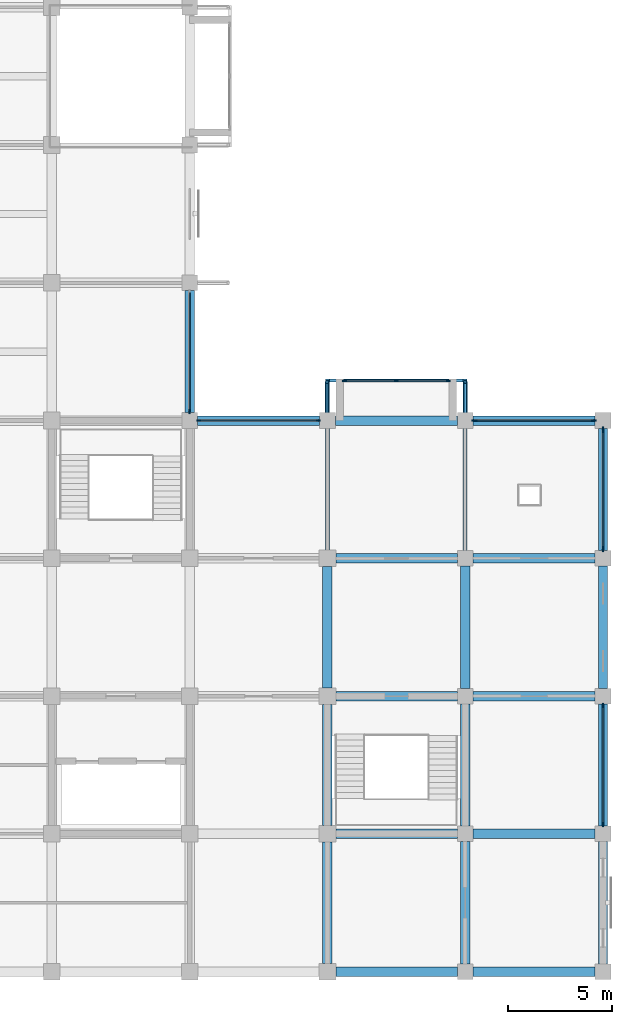
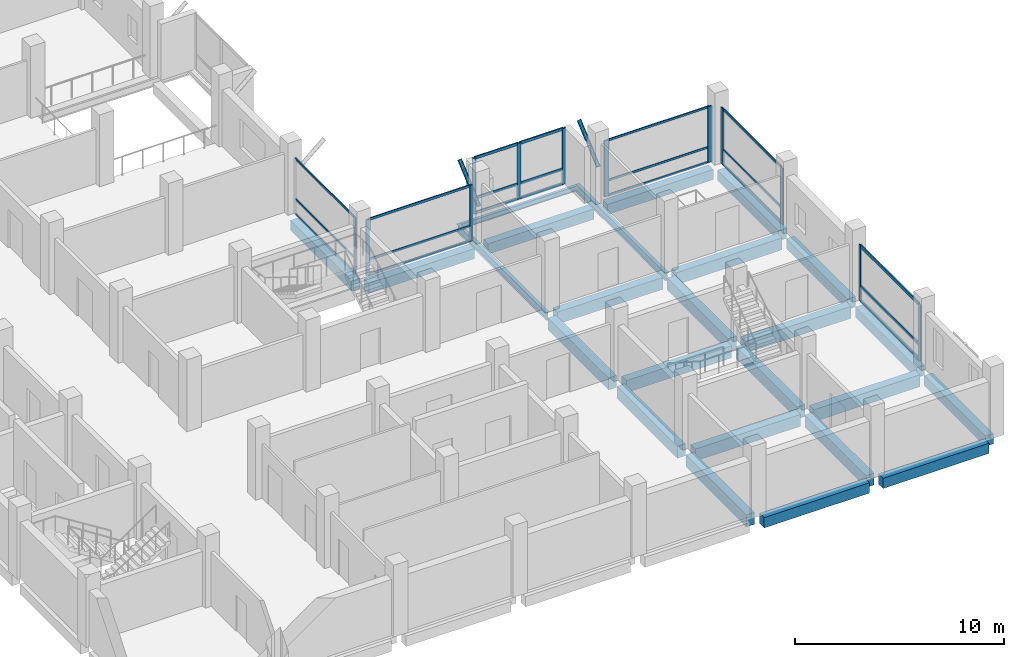
# One storey, part 2 of 14: 35 members, 25 beams, 6 elements without a shape of their own.
"""IFC4 building model written with IfcOpenShell, lengths in metres."""

from ifc_helpers import new_model, si_unit, direction, frame, origin, origin_2d, place, context, subcontext, project, spatial, rectangle, hollow_circle, i_section, extrude, material, material_profile, profile_set, type_object, element, aggregate, save


model = new_model("IFC4")

# Units and contexts
model_context = context("Model", 3, precision=1e-05, world=origin(), true_north=direction((0.0, 1.0)))
body_context = subcontext(model_context, "Body", "Model", "MODEL_VIEW")
ifc_project = project(units=[si_unit("LENGTHUNIT", "METRE"), si_unit("AREAUNIT", "SQUARE_METRE"), si_unit("VOLUMEUNIT", "CUBIC_METRE"), si_unit("PLANEANGLEUNIT", "RADIAN"), si_unit("MASSUNIT", "GRAM", prefix="KILO")], contexts=[model_context])

# Site, building, storey
site_placement = place(None, origin())
site = spatial("IfcSite", under=ifc_project, at=site_placement, CompositionType="ELEMENT")
building_placement = place(site_placement, origin())
building = spatial("IfcBuilding", under=site, at=building_placement, Name="Rusizi Kubbe Research Institute", CompositionType="ELEMENT")
storey_placement = place(building_placement, frame((0.0, 0.0, 31.199951171875)))
storey = spatial("IfcBuildingStorey", under=building, at=storey_placement, Name="L07", CompositionType="ELEMENT", Elevation=31.199951171875)

# Beams
ifc_material_1 = material(Name="Steel S355", Category="steel")
ifc_material_profile_1 = material_profile(ifc_material_1, i_section(OverallWidth=0.14990234375, OverallDepth=0.300048828125, WebThickness=0.007080078125, FlangeThickness=0.0107421875, at=origin_2d()), Name="IPE 300")
ifc_profile_set_1 = profile_set([ifc_material_profile_1], Name="Steel S355")
beam_type_1 = type_object("IfcBeamType", Name="BM-IPE300", PredefinedType="BEAM", material=ifc_profile_set_1)
beam_1_placement = place(storey_placement, frame((33.094970703125, 28.324951171875, -0.47998046875), z_axis=(1.0, 0.0, 0.0), x_axis=(0.0, 1.0, 0.0)))
element("IfcBeam", 1, at=beam_1_placement, inside=storey, type_object=beam_type_1, Name="Cumba Edge Tie Beam L07-3", PredefinedType="BEAM", context=body_context, shape_type="SweptSolid", body=[
    extrude(i_section(OverallWidth=0.14990234375, OverallDepth=0.300048828125, WebThickness=0.007080078125, FlangeThickness=0.0107421875, at=origin_2d()), origin(), (0.0, 0.0, 1.0), 6.409912109375),
])
ifc_material_2 = material(Name="Steel S355", Category="steel")
ifc_material_profile_2 = material_profile(ifc_material_2, i_section(OverallWidth=0.18994140625, OverallDepth=0.449951171875, WebThickness=0.009521484375, FlangeThickness=0.0146484375, at=origin_2d()), Name="IPE 450")
ifc_profile_set_2 = profile_set([ifc_material_profile_2], Name="Steel S355")
beam_type_2 = type_object("IfcBeamType", Name="BM-IPE450", PredefinedType="BEAM", material=ifc_profile_set_2)
for number, where, z_axis, x_axis, name in (
    (2, (33.0, 19.800048828125, -0.554931640625), (0.0, 1.0, 0.0), (-1.0, 0.0, 0.0), "Cumba Back-Spanned Cantilever Beam L07-3W"),
    (3, (39.60009765625, 19.800048828125, -0.554931640625), (0.0, 1.0, 0.0), (-1.0, 0.0, 0.0), "Cumba Back-Spanned Cantilever Beam L07-3E"),
):
    element("IfcBeam", number, at=place(storey_placement, frame(where, z_axis=z_axis, x_axis=x_axis)), inside=storey, type_object=beam_type_2, Name=name, PredefinedType="BEAM", context=body_context, shape_type="SweptSolid", body=[
        extrude(i_section(OverallWidth=0.18994140625, OverallDepth=0.449951171875, WebThickness=0.009521484375, FlangeThickness=0.0146484375, at=origin_2d()), origin(), (0.0, 0.0, 1.0), 8.599853515625),
    ])
ifc_material_3 = material(Name="Concrete C40/50", Category="concrete")
ifc_material_profile_3 = material_profile(ifc_material_3, rectangle(XDim=0.449951171875, YDim=0.60009765625, at=origin_2d()), Name="RC450x600")
ifc_profile_set_3 = profile_set([ifc_material_profile_3], Name="Concrete C40/50")
beam_type_3 = type_object("IfcBeamType", Name="BM-RC450x600", PredefinedType="SPANDREL", material=ifc_profile_set_3)
beam_2_placement = place(storey_placement, frame((26.77490234375, 26.39990234375, -0.6298828125), z_axis=(1.0, 0.0, 0.0), x_axis=(0.0, 1.0, 0.0)))
element("IfcBeam", 4, at=beam_2_placement, inside=storey, type_object=beam_type_3, Name="Grid Beam H L07 (4,4)", PredefinedType="SPANDREL", context=body_context, shape_type="SweptSolid", body=[
    extrude(rectangle(XDim=0.449951171875, YDim=0.60009765625, at=origin_2d()), origin(), (0.0, 0.0, 1.0), 5.85009765625),
])
beam_3_placement = place(storey_placement, frame((33.39990234375, 0.0, -0.6298828125), z_axis=(1.0, 0.0, 0.0), x_axis=(0.0, 1.0, 0.0)))
element("IfcBeam", 5, at=beam_3_placement, inside=storey, type_object=beam_type_3, Name="Grid Beam H L07 (5,0)", PredefinedType="SPANDREL", context=body_context, shape_type="SweptSolid", body=[
    extrude(rectangle(XDim=0.449951171875, YDim=0.60009765625, at=origin_2d()), origin(), (0.0, 0.0, 1.0), 5.8251953125),
])
beam_4_placement = place(storey_placement, frame((33.375, 26.39990234375, -0.6298828125), z_axis=(1.0, 0.0, 0.0), x_axis=(0.0, 1.0, 0.0)))
element("IfcBeam", 6, at=beam_4_placement, inside=storey, type_object=beam_type_3, Name="Grid Beam H L07 (5,4)", PredefinedType="SPANDREL", context=body_context, shape_type="SweptSolid", body=[
    extrude(rectangle(XDim=0.449951171875, YDim=0.60009765625, at=origin_2d()), origin(), (0.0, 0.0, 1.0), 5.85009765625),
])
for number, where, z_axis, x_axis, name in (
    (7, (39.97509765625, 0.0, -0.6298828125), (1.0, 0.0, 0.0), (0.0, 1.0, 0.0), "Grid Beam H L07 (6,0)"),
    (8, (39.97509765625, 26.39990234375, -0.6298828125), (1.0, 0.0, 0.0), (0.0, 1.0, 0.0), "Grid Beam H L07 (6,4)"),
):
    element("IfcBeam", number, at=place(storey_placement, frame(where, z_axis=z_axis, x_axis=x_axis)), inside=storey, type_object=beam_type_3, Name=name, PredefinedType="SPANDREL", context=body_context, shape_type="SweptSolid", body=[
        extrude(rectangle(XDim=0.449951171875, YDim=0.60009765625, at=origin_2d()), origin(), (0.0, 0.0, 1.0), 5.849853515625),
    ])
for number, where, z_axis, x_axis, name in (
    (9, (26.39990234375, 26.77490234375, -0.6298828125), (0.0, 1.0, 0.0), (-1.0, 0.0, 0.0), "Grid Beam V L07 (4,4)"),
    (10, (46.199951171875, 0.375, -0.6298828125), (0.0, 1.0, 0.0), (-1.0, 0.0, 0.0), "Grid Beam V L07 (7,0)"),
):
    element("IfcBeam", number, at=place(storey_placement, frame(where, z_axis=z_axis, x_axis=x_axis)), inside=storey, type_object=beam_type_3, Name=name, PredefinedType="SPANDREL", context=body_context, shape_type="SweptSolid", body=[
        extrude(rectangle(XDim=0.449951171875, YDim=0.60009765625, at=origin_2d()), origin(), (0.0, 0.0, 1.0), 5.85009765625),
    ])
beam_5_placement = place(storey_placement, frame((46.199951171875, 6.97509765625, -0.6298828125), z_axis=(0.0, 1.0, 0.0), x_axis=(-1.0, 0.0, 0.0)))
element("IfcBeam", 11, at=beam_5_placement, inside=storey, type_object=beam_type_3, Name="Grid Beam V L07 (7,1)", PredefinedType="SPANDREL", context=body_context, shape_type="SweptSolid", body=[
    extrude(rectangle(XDim=0.449951171875, YDim=0.60009765625, at=origin_2d()), origin(), (0.0, 0.0, 1.0), 5.849853515625),
])
beam_6_placement = place(storey_placement, frame((46.199951171875, 13.574951171875, -0.6298828125), z_axis=(0.0, 1.0, 0.0), x_axis=(-1.0, 0.0, 0.0)))
element("IfcBeam", 12, at=beam_6_placement, inside=storey, type_object=beam_type_3, Name="Grid Beam V L07 (7,2)", PredefinedType="SPANDREL", context=body_context, shape_type="SweptSolid", body=[
    extrude(rectangle(XDim=0.449951171875, YDim=0.60009765625, at=origin_2d()), origin(), (0.0, 0.0, 1.0), 5.85009765625),
])
beam_7_placement = place(storey_placement, frame((46.199951171875, 20.175048828125, -0.6298828125), z_axis=(0.0, 1.0, 0.0), x_axis=(-1.0, 0.0, 0.0)))
element("IfcBeam", 13, at=beam_7_placement, inside=storey, type_object=beam_type_3, Name="Grid Beam V L07 (7,3)", PredefinedType="SPANDREL", context=body_context, shape_type="SweptSolid", body=[
    extrude(rectangle(XDim=0.449951171875, YDim=0.60009765625, at=origin_2d()), origin(), (0.0, 0.0, 1.0), 5.849853515625),
])
ifc_material_4 = material(Name="Concrete C40/50", Category="concrete")
ifc_material_profile_4 = material_profile(ifc_material_4, rectangle(XDim=0.449951171875, YDim=0.699951171875, at=origin_2d()), Name="RC450x700B")
ifc_profile_set_4 = profile_set([ifc_material_profile_4], Name="Concrete C40/50")
beam_type_4 = type_object("IfcBeamType", Name="BM-RC450x700", PredefinedType="BEAM", material=ifc_profile_set_4)
for number, where, z_axis, x_axis, name in (
    (14, (33.39990234375, 6.60009765625, -0.679931640625), (1.0, 0.0, 0.0), (0.0, 1.0, 0.0), "Grid Beam H L07 (5,1)"),
    (15, (33.39990234375, 13.199951171875, -0.679931640625), (1.0, 0.0, 0.0), (0.0, 1.0, 0.0), "Grid Beam H L07 (5,2)"),
    (16, (33.39990234375, 19.800048828125, -0.679931640625), (1.0, 0.0, 0.0), (0.0, 1.0, 0.0), "Grid Beam H L07 (5,3)"),
):
    element("IfcBeam", number, at=place(storey_placement, frame(where, z_axis=z_axis, x_axis=x_axis)), inside=storey, type_object=beam_type_4, Name=name, PredefinedType="BEAM", context=body_context, shape_type="SweptSolid", body=[
        extrude(rectangle(XDim=0.449951171875, YDim=0.699951171875, at=origin_2d()), origin(), (0.0, 0.0, 1.0), 5.8251953125),
    ])
for number, where, z_axis, x_axis, name in (
    (17, (39.97509765625, 6.60009765625, -0.679931640625), (1.0, 0.0, 0.0), (0.0, 1.0, 0.0), "Grid Beam H L07 (6,1)"),
    (18, (39.97509765625, 13.199951171875, -0.679931640625), (1.0, 0.0, 0.0), (0.0, 1.0, 0.0), "Grid Beam H L07 (6,2)"),
    (19, (39.97509765625, 19.800048828125, -0.679931640625), (1.0, 0.0, 0.0), (0.0, 1.0, 0.0), "Grid Beam H L07 (6,3)"),
):
    element("IfcBeam", number, at=place(storey_placement, frame(where, z_axis=z_axis, x_axis=x_axis)), inside=storey, type_object=beam_type_4, Name=name, PredefinedType="BEAM", context=body_context, shape_type="SweptSolid", body=[
        extrude(rectangle(XDim=0.449951171875, YDim=0.699951171875, at=origin_2d()), origin(), (0.0, 0.0, 1.0), 5.849853515625),
    ])
for number, where, z_axis, x_axis, name in (
    (20, (33.0, 0.39990234375, -0.679931640625), (0.0, 1.0, 0.0), (-1.0, 0.0, 0.0), "Grid Beam V L07 (5,0)"),
    (21, (33.0, 7.0, -0.679931640625), (0.0, 1.0, 0.0), (-1.0, 0.0, 0.0), "Grid Beam V L07 (5,1)"),
):
    element("IfcBeam", number, at=place(storey_placement, frame(where, z_axis=z_axis, x_axis=x_axis)), inside=storey, type_object=beam_type_4, Name=name, PredefinedType="BEAM", context=body_context, shape_type="SweptSolid", body=[
        extrude(rectangle(XDim=0.449951171875, YDim=0.699951171875, at=origin_2d()), origin(), (0.0, 0.0, 1.0), 5.800048828125),
    ])
beam_8_placement = place(storey_placement, frame((33.0, 13.60009765625, -0.679931640625), z_axis=(0.0, 1.0, 0.0), x_axis=(-1.0, 0.0, 0.0)))
element("IfcBeam", 22, at=beam_8_placement, inside=storey, type_object=beam_type_4, Name="Grid Beam V L07 (5,2)", PredefinedType="BEAM", context=body_context, shape_type="SweptSolid", body=[
    extrude(rectangle(XDim=0.449951171875, YDim=0.699951171875, at=origin_2d()), origin(), (0.0, 0.0, 1.0), 5.7998046875),
])
beam_9_placement = place(storey_placement, frame((39.60009765625, 0.375, -0.679931640625), z_axis=(0.0, 1.0, 0.0), x_axis=(-1.0, 0.0, 0.0)))
element("IfcBeam", 23, at=beam_9_placement, inside=storey, type_object=beam_type_4, Name="Grid Beam V L07 (6,0)", PredefinedType="BEAM", context=body_context, shape_type="SweptSolid", body=[
    extrude(rectangle(XDim=0.449951171875, YDim=0.699951171875, at=origin_2d()), origin(), (0.0, 0.0, 1.0), 5.85009765625),
])
beam_10_placement = place(storey_placement, frame((39.60009765625, 6.97509765625, -0.679931640625), z_axis=(0.0, 1.0, 0.0), x_axis=(-1.0, 0.0, 0.0)))
element("IfcBeam", 24, at=beam_10_placement, inside=storey, type_object=beam_type_4, Name="Grid Beam V L07 (6,1)", PredefinedType="BEAM", context=body_context, shape_type="SweptSolid", body=[
    extrude(rectangle(XDim=0.449951171875, YDim=0.699951171875, at=origin_2d()), origin(), (0.0, 0.0, 1.0), 5.849853515625),
])
beam_11_placement = place(storey_placement, frame((39.60009765625, 13.574951171875, -0.679931640625), z_axis=(0.0, 1.0, 0.0), x_axis=(-1.0, 0.0, 0.0)))
element("IfcBeam", 25, at=beam_11_placement, inside=storey, type_object=beam_type_4, Name="Grid Beam V L07 (6,2)", PredefinedType="BEAM", context=body_context, shape_type="SweptSolid", body=[
    extrude(rectangle(XDim=0.449951171875, YDim=0.699951171875, at=origin_2d()), origin(), (0.0, 0.0, 1.0), 5.85009765625),
])

# Members
ifc_material_5 = material(Name="Steel S355", Category="steel")
ifc_material_profile_5 = material_profile(ifc_material_5, hollow_circle(Radius=0.109619140625, WallThickness=0.008056640625, at=origin_2d()), Name="CHS 219.1x8.0")
ifc_profile_set_5 = profile_set([ifc_material_profile_5], Name="Steel S355")
member_type_1 = type_object("IfcMemberType", Name="MB-CHS219", PredefinedType="BRACE", material=ifc_profile_set_5)
for number, where, z_axis, x_axis, name in (
    (26, (33.0, 26.39990234375, 1.880126953125), (0.0, 0.756409887843, 0.654097914362), (-1.0, 0.0, 0.0), "Cumba Diagonal Corbel Brace L08-3W"),
    (27, (39.60009765625, 26.39990234375, 1.880126953125), (0.0, 0.756409887843, 0.654097914362), (-1.0, 0.0, 0.0), "Cumba Diagonal Corbel Brace L08-3E"),
):
    element("IfcMember", number, at=place(storey_placement, frame(where, z_axis=z_axis, x_axis=x_axis)), inside=storey, type_object=member_type_1, Name=name, PredefinedType="BRACE", context=body_context, shape_type="SweptSolid", body=[
        extrude(hollow_circle(Radius=0.109619140625, WallThickness=0.008056640625, at=origin_2d()), origin(), (0.0, 0.0, 1.0), 2.44580078125),
    ])

# Curtain wall, members
ifc_material_6 = material(Name="Thermally Broken Aluminium and Low-E Glazing", Category="aluminium")
curtain_wall_type_1 = type_object("IfcCurtainWallType", Name="CW-10", PredefinedType="NOTDEFINED", material=ifc_material_6)
curtain_wall_1_placement = place(storey_placement, origin())
curtain_wall_1 = element("IfcCurtainWall", 28, at=curtain_wall_1_placement, inside=storey, type_object=curtain_wall_type_1, Name="Unitised Facade Curtain Wall CW-L07-H-04-04", PredefinedType="NOTDEFINED")
ifc_material_7 = material(Name="Aluminium Alloy 6063-T6", Category="aluminium")
ifc_material_profile_6 = material_profile(ifc_material_7, rectangle(XDim=0.06005859375, YDim=0.179931640625, at=origin_2d()), Name="ALU-M 60x180")
ifc_profile_set_6 = profile_set([ifc_material_profile_6], Name="Aluminium Alloy 6063-T6")
member_type_2 = type_object("IfcMemberType", Name="ML-02", PredefinedType="MULLION", material=ifc_profile_set_6)
member_1_placement = place(storey_placement, frame((26.8349609375, 26.39990234375, 0.0), z_axis=(0.0, 0.0, 1.0), x_axis=(0.0, 1.0, 0.0)))
member_1 = element("IfcMember", 29, at=member_1_placement, type_object=member_type_2, Name="CW-10 mullion 1", PredefinedType="MULLION", context=body_context, shape_type="SweptSolid", body=[
    extrude(rectangle(XDim=0.06005859375, YDim=0.179931640625, at=origin_2d()), origin(), (0.0, 0.0, 1.0), 3.280029296875),
])
member_2_placement = place(storey_placement, frame((32.56494140625, 26.39990234375, 0.0), z_axis=(0.0, 0.0, 1.0), x_axis=(0.0, 1.0, 0.0)))
member_2 = element("IfcMember", 30, at=member_2_placement, type_object=member_type_2, Name="CW-10 mullion 2", PredefinedType="MULLION", context=body_context, shape_type="SweptSolid", body=[
    extrude(rectangle(XDim=0.06005859375, YDim=0.179931640625, at=origin_2d()), origin(), (0.0, 0.0, 1.0), 3.280029296875),
])

# Curtain wall, member
curtain_wall_2_placement = place(storey_placement, origin())
curtain_wall_2 = element("IfcCurtainWall", 31, at=curtain_wall_2_placement, inside=storey, type_object=curtain_wall_type_1, Name="Unitised Facade Curtain Wall CW-L07-V-04-04", PredefinedType="NOTDEFINED")
ifc_material_8 = material(Name="Aluminium Alloy 6063-T6", Category="aluminium")
ifc_material_profile_7 = material_profile(ifc_material_8, rectangle(XDim=0.06494140625, YDim=0.199951171875, at=origin_2d()), Name="ALU-M 65x200")
ifc_profile_set_7 = profile_set([ifc_material_profile_7], Name="Aluminium Alloy 6063-T6")
member_type_3 = type_object("IfcMemberType", Name="ML-03", PredefinedType="MULLION", material=ifc_profile_set_7)
member_3_placement = place(storey_placement, frame((26.39990234375, 26.83740234375, 0.0), z_axis=(0.0, 0.0, 1.0), x_axis=(-1.0, 0.0, 0.0)))
member_3 = element("IfcMember", 32, at=member_3_placement, type_object=member_type_3, Name="CW-10 mullion 1", PredefinedType="MULLION", context=body_context, shape_type="SweptSolid", body=[
    extrude(rectangle(XDim=0.06494140625, YDim=0.199951171875, at=origin_2d()), origin(), (0.0, 0.0, 1.0), 3.280029296875),
])

# Curtain wall, members
ifc_material_9 = material(Name="Thermally Broken Aluminium and Low-E Glazing", Category="aluminium")
curtain_wall_type_2 = type_object("IfcCurtainWallType", Name="CW-03", PredefinedType="NOTDEFINED", material=ifc_material_9)
curtain_wall_3_placement = place(storey_placement, origin())
curtain_wall_3 = element("IfcCurtainWall", 33, at=curtain_wall_3_placement, inside=storey, type_object=curtain_wall_type_2, Name="Cumba Glazed Curtain Wall CW-CUMBA-L07-086", PredefinedType="NOTDEFINED")
member_4_placement = place(storey_placement, frame((33.81494140625, 28.300048828125, 0.0), z_axis=(0.0, 0.0, 1.0), x_axis=(0.0, 1.0, 0.0)))
member_4 = element("IfcMember", 34, at=member_4_placement, type_object=member_type_3, Name="CW-03 mullion 1", PredefinedType="MULLION", context=body_context, shape_type="SweptSolid", body=[
    extrude(rectangle(XDim=0.06494140625, YDim=0.199951171875, at=origin_2d()), origin(), (0.0, 0.0, 1.0), 3.280029296875),
])
member_5_placement = place(storey_placement, frame((36.300048828125, 28.300048828125, 0.0), z_axis=(0.0, 0.0, 1.0), x_axis=(0.0, 1.0, 0.0)))
member_5 = element("IfcMember", 35, at=member_5_placement, type_object=member_type_3, Name="CW-03 mullion 2", PredefinedType="MULLION", context=body_context, shape_type="SweptSolid", body=[
    extrude(rectangle(XDim=0.06494140625, YDim=0.199951171875, at=origin_2d()), origin(), (0.0, 0.0, 1.0), 3.280029296875),
])
member_6_placement = place(storey_placement, frame((38.784912109375, 28.300048828125, 0.0), z_axis=(0.0, 0.0, 1.0), x_axis=(0.0, 1.0, 0.0)))
member_6 = element("IfcMember", 36, at=member_6_placement, type_object=member_type_3, Name="CW-03 mullion 3", PredefinedType="MULLION", context=body_context, shape_type="SweptSolid", body=[
    extrude(rectangle(XDim=0.06494140625, YDim=0.199951171875, at=origin_2d()), origin(), (0.0, 0.0, 1.0), 3.280029296875),
])

curtain_wall_4_placement = place(storey_placement, origin())
curtain_wall_4 = element("IfcCurtainWall", 37, at=curtain_wall_4_placement, inside=storey, type_object=curtain_wall_type_1, Name="Unitised Facade Curtain Wall CW-L07-V-07-01", PredefinedType="NOTDEFINED")
ifc_material_10 = material(Name="Aluminium Alloy 6063-T6", Category="aluminium")
ifc_material_profile_8 = material_profile(ifc_material_10, rectangle(XDim=0.070068359375, YDim=0.219970703125, at=origin_2d()), Name="ALU-M 70x220")
ifc_profile_set_8 = profile_set([ifc_material_profile_8], Name="Aluminium Alloy 6063-T6")
member_type_4 = type_object("IfcMemberType", Name="ML-04", PredefinedType="MULLION", material=ifc_profile_set_8)
member_7_placement = place(storey_placement, frame((46.199951171875, 7.0400390625, 0.0), z_axis=(0.0, 0.0, 1.0), x_axis=(-1.0, 0.0, 0.0)))
member_7 = element("IfcMember", 38, at=member_7_placement, type_object=member_type_4, Name="CW-10 mullion 1", PredefinedType="MULLION", context=body_context, shape_type="SweptSolid", body=[
    extrude(rectangle(XDim=0.070068359375, YDim=0.219970703125, at=origin_2d()), origin(), (0.0, 0.0, 1.0), 3.280029296875),
])
member_8_placement = place(storey_placement, frame((46.199951171875, 12.760009765625, 0.0), z_axis=(0.0, 0.0, 1.0), x_axis=(-1.0, 0.0, 0.0)))
member_8 = element("IfcMember", 39, at=member_8_placement, type_object=member_type_4, Name="CW-10 mullion 2", PredefinedType="MULLION", context=body_context, shape_type="SweptSolid", body=[
    extrude(rectangle(XDim=0.070068359375, YDim=0.219970703125, at=origin_2d()), origin(), (0.0, 0.0, 1.0), 3.280029296875),
])

curtain_wall_5_placement = place(storey_placement, origin())
curtain_wall_5 = element("IfcCurtainWall", 40, at=curtain_wall_5_placement, inside=storey, type_object=curtain_wall_type_1, Name="Unitised Facade Curtain Wall CW-L07-H-06-04", PredefinedType="NOTDEFINED")
ifc_material_11 = material(Name="Aluminium Alloy 6063-T6", Category="aluminium")
ifc_material_profile_9 = material_profile(ifc_material_11, rectangle(XDim=0.074951171875, YDim=0.25, at=origin_2d()), Name="ALU-M 75x250")
ifc_profile_set_9 = profile_set([ifc_material_profile_9], Name="Aluminium Alloy 6063-T6")
member_type_5 = type_object("IfcMemberType", Name="ML-05", PredefinedType="MULLION", material=ifc_profile_set_9)
member_9_placement = place(storey_placement, frame((40.04248046875, 26.39990234375, 0.0), z_axis=(0.0, 0.0, 1.0), x_axis=(0.0, 1.0, 0.0)))
member_9 = element("IfcMember", 41, at=member_9_placement, type_object=member_type_5, Name="CW-10 mullion 1", PredefinedType="MULLION", context=body_context, shape_type="SweptSolid", body=[
    extrude(rectangle(XDim=0.074951171875, YDim=0.25, at=origin_2d()), origin(), (0.0, 0.0, 1.0), 3.280029296875),
])
member_10_placement = place(storey_placement, frame((45.757568359375, 26.39990234375, 0.0), z_axis=(0.0, 0.0, 1.0), x_axis=(0.0, 1.0, 0.0)))
member_10 = element("IfcMember", 42, at=member_10_placement, type_object=member_type_5, Name="CW-10 mullion 2", PredefinedType="MULLION", context=body_context, shape_type="SweptSolid", body=[
    extrude(rectangle(XDim=0.074951171875, YDim=0.25, at=origin_2d()), origin(), (0.0, 0.0, 1.0), 3.280029296875),
])

curtain_wall_6_placement = place(storey_placement, origin())
curtain_wall_6 = element("IfcCurtainWall", 43, at=curtain_wall_6_placement, inside=storey, type_object=curtain_wall_type_1, Name="Unitised Facade Curtain Wall CW-L07-V-07-03", PredefinedType="NOTDEFINED")
ifc_material_12 = material(Name="Aluminium Alloy 6063-T6", Category="aluminium")
ifc_material_profile_10 = material_profile(ifc_material_12, rectangle(XDim=0.080078125, YDim=0.280029296875, at=origin_2d()), Name="ALU-M 80x280")
ifc_profile_set_10 = profile_set([ifc_material_profile_10], Name="Aluminium Alloy 6063-T6")
member_type_6 = type_object("IfcMemberType", Name="ML-06", PredefinedType="MULLION", material=ifc_profile_set_10)
member_11_placement = place(storey_placement, frame((46.199951171875, 20.2451171875, 0.0), z_axis=(0.0, 0.0, 1.0), x_axis=(-1.0, 0.0, 0.0)))
member_11 = element("IfcMember", 44, at=member_11_placement, type_object=member_type_6, Name="CW-10 mullion 1", PredefinedType="MULLION", context=body_context, shape_type="SweptSolid", body=[
    extrude(rectangle(XDim=0.080078125, YDim=0.280029296875, at=origin_2d()), origin(), (0.0, 0.0, 1.0), 3.280029296875),
])
member_12_placement = place(storey_placement, frame((46.199951171875, 25.955078125, 0.0), z_axis=(0.0, 0.0, 1.0), x_axis=(-1.0, 0.0, 0.0)))
member_12 = element("IfcMember", 45, at=member_12_placement, type_object=member_type_6, Name="CW-10 mullion 2", PredefinedType="MULLION", context=body_context, shape_type="SweptSolid", body=[
    extrude(rectangle(XDim=0.080078125, YDim=0.280029296875, at=origin_2d()), origin(), (0.0, 0.0, 1.0), 3.280029296875),
])

# Member
ifc_material_13 = material(Name="Aluminium Alloy 6063-T6", Category="aluminium")
ifc_material_profile_11 = material_profile(ifc_material_13, rectangle(XDim=0.06005859375, YDim=0.1201171875, at=origin_2d()), Name="ALU-T 60x120")
ifc_profile_set_11 = profile_set([ifc_material_profile_11], Name="Aluminium Alloy 6063-T6")
member_type_7 = type_object("IfcMemberType", Name="TR-01", PredefinedType="USERDEFINED", material=ifc_profile_set_11)
member_13_placement = place(storey_placement, frame((26.39990234375, 26.8701171875, 0.030029296875), z_axis=(0.0, 1.0, 0.0), x_axis=(-1.0, 0.0, 0.0)))
member_13 = element("IfcMember", 46, at=member_13_placement, type_object=member_type_7, Name="CW-10 transom 1.1", ObjectType="TRANSOM", PredefinedType="USERDEFINED", context=body_context, shape_type="SweptSolid", body=[
    extrude(rectangle(XDim=0.06005859375, YDim=0.1201171875, at=origin_2d()), origin(), (0.0, 0.0, 1.0), 5.659912109375),
])

member_14_placement = place(storey_placement, frame((26.39990234375, 26.8701171875, 0.900146484375), z_axis=(0.0, 1.0, 0.0), x_axis=(-1.0, 0.0, 0.0)))
member_14 = element("IfcMember", 47, at=member_14_placement, type_object=member_type_7, Name="CW-10 transom 1.2", ObjectType="TRANSOM", PredefinedType="USERDEFINED", context=body_context, shape_type="SweptSolid", body=[
    extrude(rectangle(XDim=0.06005859375, YDim=0.1201171875, at=origin_2d()), origin(), (0.0, 0.0, 1.0), 5.659912109375),
])

member_15_placement = place(storey_placement, frame((26.39990234375, 26.8701171875, 3.25), z_axis=(0.0, 1.0, 0.0), x_axis=(-1.0, 0.0, 0.0)))
member_15 = element("IfcMember", 48, at=member_15_placement, type_object=member_type_7, Name="CW-10 transom 1.3", ObjectType="TRANSOM", PredefinedType="USERDEFINED", context=body_context, shape_type="SweptSolid", body=[
    extrude(rectangle(XDim=0.06005859375, YDim=0.1201171875, at=origin_2d()), origin(), (0.0, 0.0, 1.0), 5.659912109375),
])

aggregate(curtain_wall_2, [member_3, member_13, member_14, member_15])

member_16_placement = place(storey_placement, frame((40.080078125, 26.39990234375, 0.030029296875), z_axis=(1.0, 0.0, 0.0), x_axis=(0.0, 1.0, 0.0)))
member_16 = element("IfcMember", 49, at=member_16_placement, type_object=member_type_7, Name="CW-10 transom 1.1", ObjectType="TRANSOM", PredefinedType="USERDEFINED", context=body_context, shape_type="SweptSolid", body=[
    extrude(rectangle(XDim=0.06005859375, YDim=0.1201171875, at=origin_2d()), origin(), (0.0, 0.0, 1.0), 5.639892578125),
])

member_17_placement = place(storey_placement, frame((40.080078125, 26.39990234375, 0.900146484375), z_axis=(1.0, 0.0, 0.0), x_axis=(0.0, 1.0, 0.0)))
member_17 = element("IfcMember", 50, at=member_17_placement, type_object=member_type_7, Name="CW-10 transom 1.2", ObjectType="TRANSOM", PredefinedType="USERDEFINED", context=body_context, shape_type="SweptSolid", body=[
    extrude(rectangle(XDim=0.06005859375, YDim=0.1201171875, at=origin_2d()), origin(), (0.0, 0.0, 1.0), 5.639892578125),
])

member_18_placement = place(storey_placement, frame((40.080078125, 26.39990234375, 3.25), z_axis=(1.0, 0.0, 0.0), x_axis=(0.0, 1.0, 0.0)))
member_18 = element("IfcMember", 51, at=member_18_placement, type_object=member_type_7, Name="CW-10 transom 1.3", ObjectType="TRANSOM", PredefinedType="USERDEFINED", context=body_context, shape_type="SweptSolid", body=[
    extrude(rectangle(XDim=0.06005859375, YDim=0.1201171875, at=origin_2d()), origin(), (0.0, 0.0, 1.0), 5.639892578125),
])

aggregate(curtain_wall_5, [member_9, member_10, member_16, member_17, member_18])

ifc_material_14 = material(Name="Aluminium Alloy 6063-T6", Category="aluminium")
ifc_material_profile_12 = material_profile(ifc_material_14, rectangle(XDim=0.06005859375, YDim=0.139892578125, at=origin_2d()), Name="ALU-T 60x140")
ifc_profile_set_12 = profile_set([ifc_material_profile_12], Name="Aluminium Alloy 6063-T6")
member_type_8 = type_object("IfcMemberType", Name="TR-02", PredefinedType="USERDEFINED", material=ifc_profile_set_12)
member_19_placement = place(storey_placement, frame((26.864990234375, 26.39990234375, 0.030029296875), z_axis=(1.0, 0.0, 0.0), x_axis=(0.0, 1.0, 0.0)))
member_19 = element("IfcMember", 52, at=member_19_placement, type_object=member_type_8, Name="CW-10 transom 1.1", ObjectType="TRANSOM", PredefinedType="USERDEFINED", context=body_context, shape_type="SweptSolid", body=[
    extrude(rectangle(XDim=0.06005859375, YDim=0.139892578125, at=origin_2d()), origin(), (0.0, 0.0, 1.0), 5.669921875),
])

member_20_placement = place(storey_placement, frame((26.864990234375, 26.39990234375, 0.900146484375), z_axis=(1.0, 0.0, 0.0), x_axis=(0.0, 1.0, 0.0)))
member_20 = element("IfcMember", 53, at=member_20_placement, type_object=member_type_8, Name="CW-10 transom 1.2", ObjectType="TRANSOM", PredefinedType="USERDEFINED", context=body_context, shape_type="SweptSolid", body=[
    extrude(rectangle(XDim=0.06005859375, YDim=0.139892578125, at=origin_2d()), origin(), (0.0, 0.0, 1.0), 5.669921875),
])

member_21_placement = place(storey_placement, frame((26.864990234375, 26.39990234375, 3.25), z_axis=(1.0, 0.0, 0.0), x_axis=(0.0, 1.0, 0.0)))
member_21 = element("IfcMember", 54, at=member_21_placement, type_object=member_type_8, Name="CW-10 transom 1.3", ObjectType="TRANSOM", PredefinedType="USERDEFINED", context=body_context, shape_type="SweptSolid", body=[
    extrude(rectangle(XDim=0.06005859375, YDim=0.139892578125, at=origin_2d()), origin(), (0.0, 0.0, 1.0), 5.669921875),
])

aggregate(curtain_wall_1, [member_1, member_2, member_19, member_20, member_21])

member_22_placement = place(storey_placement, frame((46.199951171875, 20.284912109375, 0.030029296875), z_axis=(0.0, 1.0, 0.0), x_axis=(-1.0, 0.0, 0.0)))
member_22 = element("IfcMember", 55, at=member_22_placement, type_object=member_type_8, Name="CW-10 transom 1.1", ObjectType="TRANSOM", PredefinedType="USERDEFINED", context=body_context, shape_type="SweptSolid", body=[
    extrude(rectangle(XDim=0.06005859375, YDim=0.139892578125, at=origin_2d()), origin(), (0.0, 0.0, 1.0), 5.630126953125),
])

member_23_placement = place(storey_placement, frame((46.199951171875, 20.284912109375, 0.900146484375), z_axis=(0.0, 1.0, 0.0), x_axis=(-1.0, 0.0, 0.0)))
member_23 = element("IfcMember", 56, at=member_23_placement, type_object=member_type_8, Name="CW-10 transom 1.2", ObjectType="TRANSOM", PredefinedType="USERDEFINED", context=body_context, shape_type="SweptSolid", body=[
    extrude(rectangle(XDim=0.06005859375, YDim=0.139892578125, at=origin_2d()), origin(), (0.0, 0.0, 1.0), 5.630126953125),
])

member_24_placement = place(storey_placement, frame((46.199951171875, 20.284912109375, 3.25), z_axis=(0.0, 1.0, 0.0), x_axis=(-1.0, 0.0, 0.0)))
member_24 = element("IfcMember", 57, at=member_24_placement, type_object=member_type_8, Name="CW-10 transom 1.3", ObjectType="TRANSOM", PredefinedType="USERDEFINED", context=body_context, shape_type="SweptSolid", body=[
    extrude(rectangle(XDim=0.06005859375, YDim=0.139892578125, at=origin_2d()), origin(), (0.0, 0.0, 1.0), 5.630126953125),
])

aggregate(curtain_wall_6, [member_11, member_12, member_22, member_23, member_24])

ifc_material_15 = material(Name="Aluminium Alloy 6063-T6", Category="aluminium")
ifc_material_profile_13 = material_profile(ifc_material_15, rectangle(XDim=0.06494140625, YDim=0.159912109375, at=origin_2d()), Name="ALU-T 65x160")
ifc_profile_set_13 = profile_set([ifc_material_profile_13], Name="Aluminium Alloy 6063-T6")
member_type_9 = type_object("IfcMemberType", Name="TR-03", PredefinedType="USERDEFINED", material=ifc_profile_set_13)
member_25_placement = place(storey_placement, frame((33.847412109375, 28.300048828125, 0.032470703125), z_axis=(1.0, 0.0, 0.0), x_axis=(0.0, 1.0, 0.0)))
member_25 = element("IfcMember", 58, at=member_25_placement, type_object=member_type_9, Name="CW-03 transom 1.1", ObjectType="TRANSOM", PredefinedType="USERDEFINED", context=body_context, shape_type="SweptSolid", body=[
    extrude(rectangle(XDim=0.06494140625, YDim=0.159912109375, at=origin_2d()), origin(), (0.0, 0.0, 1.0), 2.420166015625),
])

member_26_placement = place(storey_placement, frame((33.847412109375, 28.300048828125, 0.900146484375), z_axis=(1.0, 0.0, 0.0), x_axis=(0.0, 1.0, 0.0)))
member_26 = element("IfcMember", 59, at=member_26_placement, type_object=member_type_9, Name="CW-03 transom 1.2", ObjectType="TRANSOM", PredefinedType="USERDEFINED", context=body_context, shape_type="SweptSolid", body=[
    extrude(rectangle(XDim=0.06494140625, YDim=0.159912109375, at=origin_2d()), origin(), (0.0, 0.0, 1.0), 2.420166015625),
])

member_27_placement = place(storey_placement, frame((33.847412109375, 28.300048828125, 3.24755859375), z_axis=(1.0, 0.0, 0.0), x_axis=(0.0, 1.0, 0.0)))
member_27 = element("IfcMember", 60, at=member_27_placement, type_object=member_type_9, Name="CW-03 transom 1.3", ObjectType="TRANSOM", PredefinedType="USERDEFINED", context=body_context, shape_type="SweptSolid", body=[
    extrude(rectangle(XDim=0.06494140625, YDim=0.159912109375, at=origin_2d()), origin(), (0.0, 0.0, 1.0), 2.420166015625),
])

member_28_placement = place(storey_placement, frame((36.33251953125, 28.300048828125, 0.032470703125), z_axis=(1.0, 0.0, 0.0), x_axis=(0.0, 1.0, 0.0)))
member_28 = element("IfcMember", 61, at=member_28_placement, type_object=member_type_9, Name="CW-03 transom 2.1", ObjectType="TRANSOM", PredefinedType="USERDEFINED", context=body_context, shape_type="SweptSolid", body=[
    extrude(rectangle(XDim=0.06494140625, YDim=0.159912109375, at=origin_2d()), origin(), (0.0, 0.0, 1.0), 2.419921875),
])

member_29_placement = place(storey_placement, frame((36.33251953125, 28.300048828125, 0.900146484375), z_axis=(1.0, 0.0, 0.0), x_axis=(0.0, 1.0, 0.0)))
member_29 = element("IfcMember", 62, at=member_29_placement, type_object=member_type_9, Name="CW-03 transom 2.2", ObjectType="TRANSOM", PredefinedType="USERDEFINED", context=body_context, shape_type="SweptSolid", body=[
    extrude(rectangle(XDim=0.06494140625, YDim=0.159912109375, at=origin_2d()), origin(), (0.0, 0.0, 1.0), 2.419921875),
])

member_30_placement = place(storey_placement, frame((36.33251953125, 28.300048828125, 3.24755859375), z_axis=(1.0, 0.0, 0.0), x_axis=(0.0, 1.0, 0.0)))
member_30 = element("IfcMember", 63, at=member_30_placement, type_object=member_type_9, Name="CW-03 transom 2.3", ObjectType="TRANSOM", PredefinedType="USERDEFINED", context=body_context, shape_type="SweptSolid", body=[
    extrude(rectangle(XDim=0.06494140625, YDim=0.159912109375, at=origin_2d()), origin(), (0.0, 0.0, 1.0), 2.419921875),
])

aggregate(curtain_wall_3, [member_4, member_5, member_6, member_25, member_26, member_27, member_28, member_29, member_30])

ifc_material_16 = material(Name="Aluminium Alloy 6063-T6", Category="aluminium")
ifc_material_profile_14 = material_profile(ifc_material_16, rectangle(XDim=0.070068359375, YDim=0.18994140625, at=origin_2d()), Name="ALU-T 70x190")
ifc_profile_set_14 = profile_set([ifc_material_profile_14], Name="Aluminium Alloy 6063-T6")
member_type_10 = type_object("IfcMemberType", Name="TR-04", PredefinedType="USERDEFINED", material=ifc_profile_set_14)
member_31_placement = place(storey_placement, frame((46.199951171875, 7.074951171875, 0.03515625), z_axis=(0.0, 1.0, 0.0), x_axis=(-1.0, 0.0, 0.0)))
member_31 = element("IfcMember", 64, at=member_31_placement, type_object=member_type_10, Name="CW-10 transom 1.1", ObjectType="TRANSOM", PredefinedType="USERDEFINED", context=body_context, shape_type="SweptSolid", body=[
    extrude(rectangle(XDim=0.070068359375, YDim=0.18994140625, at=origin_2d()), origin(), (0.0, 0.0, 1.0), 5.650146484375),
])

member_32_placement = place(storey_placement, frame((46.199951171875, 7.074951171875, 0.900146484375), z_axis=(0.0, 1.0, 0.0), x_axis=(-1.0, 0.0, 0.0)))
member_32 = element("IfcMember", 65, at=member_32_placement, type_object=member_type_10, Name="CW-10 transom 1.2", ObjectType="TRANSOM", PredefinedType="USERDEFINED", context=body_context, shape_type="SweptSolid", body=[
    extrude(rectangle(XDim=0.070068359375, YDim=0.18994140625, at=origin_2d()), origin(), (0.0, 0.0, 1.0), 5.650146484375),
])

member_33_placement = place(storey_placement, frame((46.199951171875, 7.074951171875, 3.2451171875), z_axis=(0.0, 1.0, 0.0), x_axis=(-1.0, 0.0, 0.0)))
member_33 = element("IfcMember", 66, at=member_33_placement, type_object=member_type_10, Name="CW-10 transom 1.3", ObjectType="TRANSOM", PredefinedType="USERDEFINED", context=body_context, shape_type="SweptSolid", body=[
    extrude(rectangle(XDim=0.070068359375, YDim=0.18994140625, at=origin_2d()), origin(), (0.0, 0.0, 1.0), 5.650146484375),
])

aggregate(curtain_wall_4, [member_7, member_8, member_31, member_32, member_33])

save(model, "model.ifc")
